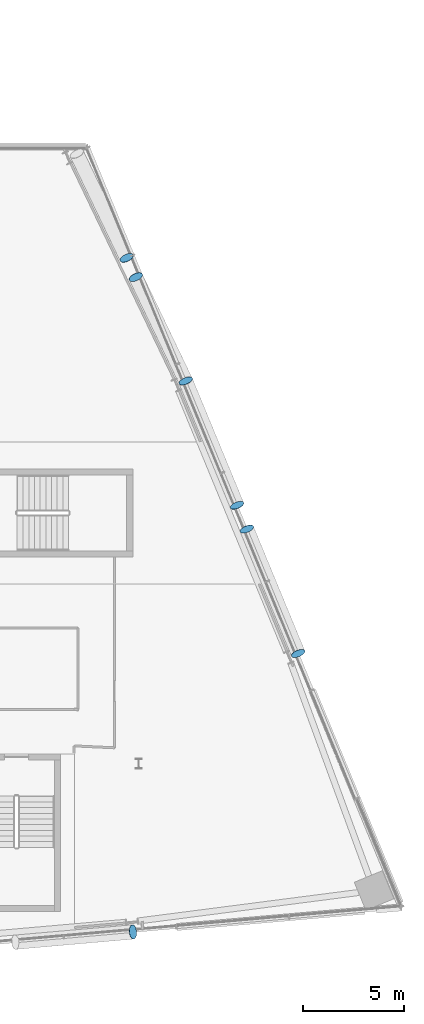
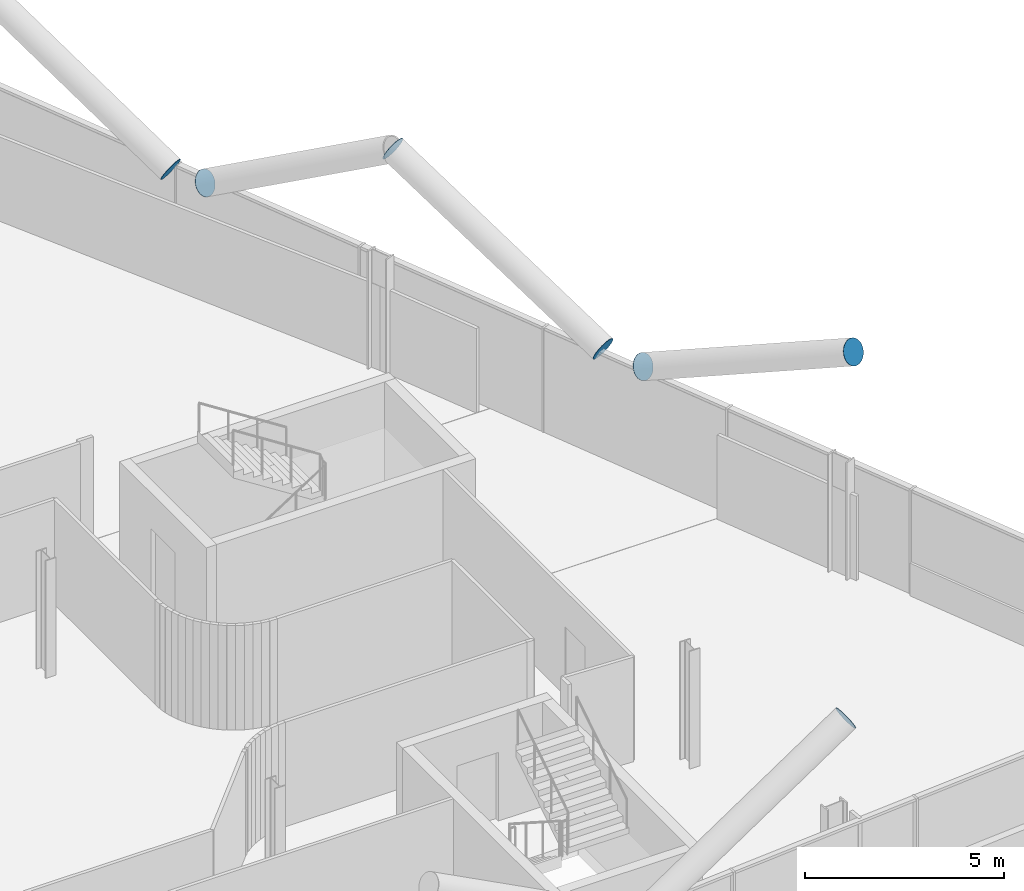
# One storey, part 24 of 27: 7 discrete accessories.
"""IFC4 building model written with IfcOpenShell, lengths in metres."""

from ifc_helpers import new_model, si_unit, direction, frame, origin, origin_2d, place, context, subcontext, project, spatial, circle, extrude, material, material_profile, profile_set, type_object, element, save


model = new_model("IFC4")

# Units and contexts
model_context = context("Model", 3, precision=1e-05, world=origin(), true_north=direction((0.0, 1.0)))
body_context = subcontext(model_context, "Body", "Model", "MODEL_VIEW")
ifc_project = project(units=[si_unit("LENGTHUNIT", "METRE"), si_unit("AREAUNIT", "SQUARE_METRE"), si_unit("VOLUMEUNIT", "CUBIC_METRE"), si_unit("PLANEANGLEUNIT", "RADIAN"), si_unit("MASSUNIT", "GRAM", prefix="KILO")], contexts=[model_context])

# Site, building, storey
site_placement = place(None, origin())
site = spatial("IfcSite", under=ifc_project, at=site_placement, CompositionType="ELEMENT")
building_placement = place(site_placement, origin())
building = spatial("IfcBuilding", under=site, at=building_placement, Name="Wharfspan Tower", CompositionType="ELEMENT")
storey_placement = place(building_placement, frame((0.0, 0.0, 159.100098)))
storey = spatial("IfcBuildingStorey", under=building, at=storey_placement, Name="L38", CompositionType="ELEMENT", Elevation=159.100098)

# Discrete accessories
ifc_material = material(Name="Steel S460NH", Category="steel")
ifc_material_profile = material_profile(ifc_material, circle(Radius=0.355469, at=origin_2d()))
ifc_profile_set = profile_set([ifc_material_profile], Name="Steel S460NH")
discrete_accessory_type = type_object("IfcDiscreteAccessoryType", Name="End plate CHS 711x36", PredefinedType="BRACKET", material=ifc_profile_set)
discrete_accessory_placement = place(storey_placement, frame((71.706055, 3.181641, 6.5), z_axis=(0.865849, 0.074216, 0.494771), x_axis=(-0.085402, 0.996345, 1e-06)))
element("IfcDiscreteAccessory", 1, at=discrete_accessory_placement, inside=storey, type_object=discrete_accessory_type, Name="End plate CHS 711x36", PredefinedType="BRACKET", context=body_context, shape_type="SweptSolid", body=[
    extrude(circle(Radius=0.355469, at=origin_2d()), origin(), (0.0, 0.0, 1.0), 0.009766),
])
for number, where, z_axis, x_axis, name in (
    (2, (76.857666, 24.266846, 3.212158), (-0.341972, 0.830504, 0.439679), (-0.924678, -0.380749, -1e-06), "End plate CHS 711x36"),
    (3, (74.320557, 30.411865, 6.5), (-0.341972, 0.830504, 0.439679), (-0.924678, -0.380749, -1e-06), "End plate CHS 711x36"),
    (4, (77.3396, 23.099609, 3.212158), (0.341972, -0.830504, 0.439679), (0.924678, 0.380749, -1e-06), "End plate CHS 711x36"),
    (5, (79.876465, 16.954346, 6.5), (0.341972, -0.830504, 0.439679), (0.924678, 0.380749, -1e-06), "End plate CHS 711x36"),
    (6, (71.404785, 36.496582, 3.200684), (-0.369386, 0.788024, 0.492515), (-0.905459, -0.424433, -1e-06), "End plate CHS 711x36"),
    (7, (71.854492, 35.55835, 3.200684), (0.369386, -0.788024, 0.492515), (0.905459, 0.424433, -1e-06), "End plate CHS 711x36"),
):
    element("IfcDiscreteAccessory", number, at=place(storey_placement, frame(where, z_axis=z_axis, x_axis=x_axis)), inside=storey, type_object=discrete_accessory_type, Name=name, PredefinedType="BRACKET", context=body_context, shape_type="SweptSolid", body=[
        extrude(circle(Radius=0.355469, at=origin_2d()), origin(), (0.0, 0.0, 1.0), 0.01001),
    ])

save(model, "model.ifc")
